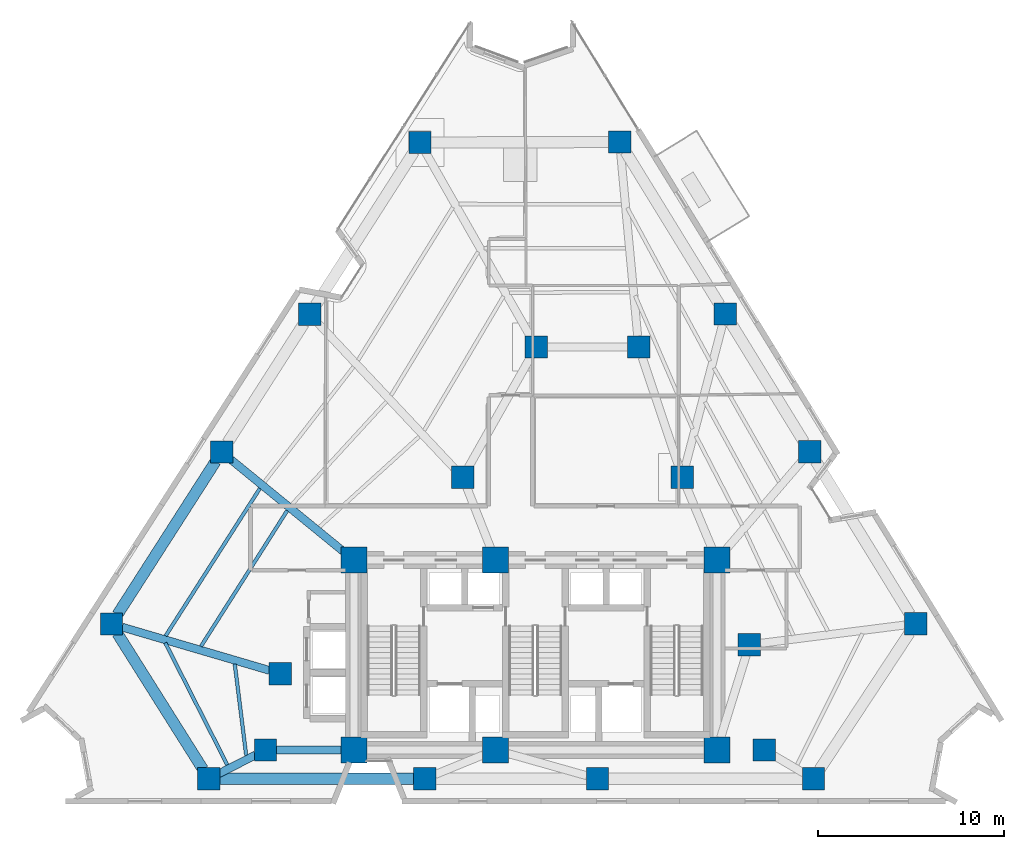
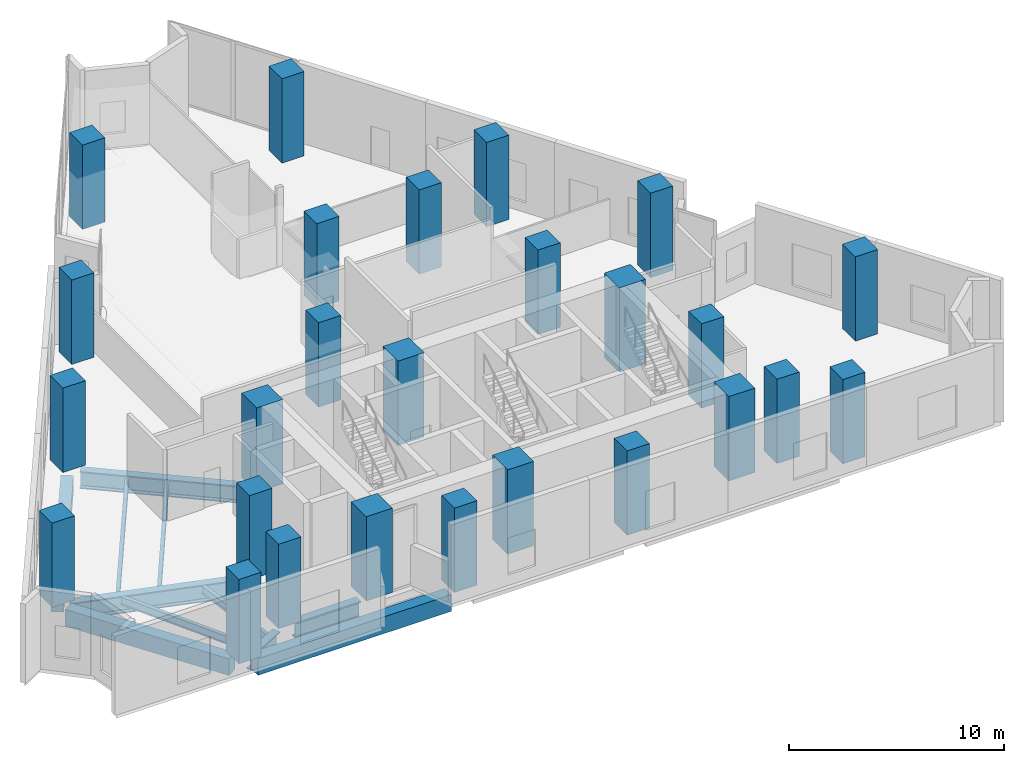
# One storey, part 1 of 13: 26 columns, 11 beams.
"""IFC4 building model written with IfcOpenShell, lengths in metres."""

import ifcopenshell
import ifcopenshell.guid

model = None  # the IFC model being written
_history = None  # IfcOwnerHistory: only IFC2X3 demands one
_inside = {}  # id of a spatial element -> (the spatial element, [elements in it])
_under = {}  # id of a project, library or spatial element -> (it, [spatial elements below it])
_declared = {}  # id of a project -> (the project, [libraries it declares])
_typed = {}  # id of a type object -> (the type object, [elements of that type])
_made_of = {}  # id of a material, layer set ... -> (it, [elements and type objects made of it])


def new_model(schema):
    """Start an empty IFC model of exactly this schema.

    Asked for "IFC4X3", IfcOpenShell would pick the latest addendum, in which some entities
    have other attributes; the version numbers below select the first issue.
    IFC2X3 requires an IfcOwnerHistory on every rooted entity: one is made here for all.
    """
    global model, _history
    if schema == "IFC4X3":
        model = ifcopenshell.file(schema_version=(4, 3, 0, 0))
    else:
        model = ifcopenshell.file(schema=schema)
    _inside.clear()
    _under.clear()
    _declared.clear()
    _typed.clear()
    _made_of.clear()
    _history = None
    if model.schema == "IFC2X3":
        org = make("IfcOrganization", Name="unknown")
        user = make(
            "IfcPersonAndOrganization",
            ThePerson=make("IfcPerson", FamilyName="unknown"),
            TheOrganization=org,
        )
        app = make(
            "IfcApplication",
            ApplicationDeveloper=org,
            Version="unknown",
            ApplicationFullName="unknown",
            ApplicationIdentifier="unknown",
        )
        _history = make(
            "IfcOwnerHistory",
            OwningUser=user,
            OwningApplication=app,
            ChangeAction="ADDED",
            CreationDate=0,
        )
    return model


def make(cls, **values):
    """One entity of the class cls with the attributes given. An attribute that is None is left unset."""
    return model.create_entity(
        cls, **{name: value for name, value in values.items() if value is not None}
    )


def rooted(cls, **values):
    """An entity with a GlobalId (a new one), such as an element, a storey or a relation."""
    return make(cls, GlobalId=ifcopenshell.guid.new(), OwnerHistory=_history, **values)


def si_unit(unit_type, name, prefix=None):
    """IfcSIUnit, for example si_unit("LENGTHUNIT", "METRE", prefix="MILLI")."""
    return make("IfcSIUnit", UnitType=unit_type, Prefix=prefix, Name=name)


def assignment(units):
    """IfcUnitAssignment: the units of a project."""
    return None if units is None else make("IfcUnitAssignment", Units=units)


def point(xyz):
    """IfcCartesianPoint."""
    return None if xyz is None else make("IfcCartesianPoint", Coordinates=xyz)


def direction(xyz):
    """IfcDirection."""
    return None if xyz is None else make("IfcDirection", DirectionRatios=xyz)


def frame(location, z_axis=None, x_axis=None):
    """IfcAxis2Placement3D, a coordinate frame: its origin and axes. An axis left out is left unset."""
    return make(
        "IfcAxis2Placement3D",
        Location=point(location),
        Axis=direction(z_axis),
        RefDirection=direction(x_axis),
    )


def frame_2d(location, x_axis=None):
    """IfcAxis2Placement2D, a coordinate frame in the plane: its origin and x axis."""
    return make(
        "IfcAxis2Placement2D", Location=point(location), RefDirection=direction(x_axis)
    )


def origin():
    """The frame at (0, 0, 0) with its axes left unset."""
    return frame((0.0, 0.0, 0.0))


def origin_2d():
    """The frame at (0, 0) in the plane with its x axis left unset."""
    return frame_2d((0.0, 0.0))


def place(relative_to, where):
    """IfcLocalPlacement: puts the frame where relative to a parent placement (None: the world)."""
    return make(
        "IfcLocalPlacement", PlacementRelTo=relative_to, RelativePlacement=where
    )


def context(
    kind, dimensions, precision=None, world=None, true_north=None, identifier=None
):
    """IfcGeometricRepresentationContext, for example the 3D "Model" context."""
    return make(
        "IfcGeometricRepresentationContext",
        ContextIdentifier=identifier,
        ContextType=kind,
        CoordinateSpaceDimension=dimensions,
        Precision=precision,
        WorldCoordinateSystem=world,
        TrueNorth=true_north,
    )


def subcontext(parent, identifier, kind, view, scale=None):
    """IfcGeometricRepresentationSubContext, for example "Body" below "Model"."""
    return make(
        "IfcGeometricRepresentationSubContext",
        ContextIdentifier=identifier,
        ContextType=kind,
        ParentContext=parent,
        TargetScale=scale,
        TargetView=view,
    )


def project(units=None, contexts=None):
    """IfcProject with its units and contexts."""
    return rooted(
        "IfcProject",
        Name="project",
        RepresentationContexts=contexts,
        UnitsInContext=assignment(units),
    )


def spatial(cls, under=None, at=None, **own):
    """A site, building, storey or space (cls), placed at a placement, below another one or the project."""
    s = rooted(cls, ObjectPlacement=at, **own)
    if under is not None:
        _under.setdefault(under.id(), (under, []))[1].append(s)
    return s


def profile(cls, at=None, kind="AREA", **sizes):
    """A parametric profile (cls). Its sizes go by their IFC names, for example OverallWidth=200.0."""
    return make(cls, ProfileType=kind, Position=at, **sizes)


def rectangle(**sizes):
    """IfcRectangleProfileDef."""
    return profile("IfcRectangleProfileDef", **sizes)


def i_section(**sizes):
    """IfcIShapeProfileDef."""
    return profile("IfcIShapeProfileDef", **sizes)


def extrude(swept, where, along, depth):
    """IfcExtrudedAreaSolid: the profile swept, set in the frame where, extruded along a direction by depth."""
    return make(
        "IfcExtrudedAreaSolid",
        SweptArea=swept,
        Position=where,
        ExtrudedDirection=direction(along),
        Depth=depth,
    )


def shape(context_of_items, identifier, shape_type, items):
    """IfcShapeRepresentation: the items that make up one representation, for example the "Body"."""
    return make(
        "IfcShapeRepresentation",
        ContextOfItems=context_of_items,
        RepresentationIdentifier=identifier,
        RepresentationType=shape_type,
        Items=items,
    )


def material(Name=None, Category=None):
    """IfcMaterial."""
    return make("IfcMaterial", Name=Name, Category=Category)


def material_profile(
    of_material, cross_section, Name=None, Category=None, Priority=None
):
    """IfcMaterialProfile: a cross section and its material."""
    return make(
        "IfcMaterialProfile",
        Name=Name,
        Material=of_material,
        Profile=cross_section,
        Priority=Priority,
        Category=Category,
    )


def profile_set(profiles, Name=None, composite=None):
    """IfcMaterialProfileSet."""
    return make(
        "IfcMaterialProfileSet",
        Name=Name,
        MaterialProfiles=profiles,
        CompositeProfile=composite,
    )


def made_of(thing, what):
    """Note that an element or type object is made of a material, layer set ...; save() writes the relation."""
    if what is not None:
        _made_of.setdefault(what.id(), (what, []))[1].append(thing)
    return thing


def type_object(cls, material=None, **own):
    """A type object (cls), such as IfcWallType, which elements share."""
    return made_of(rooted(cls, **own), material)


def element(
    cls,
    number,
    at=None,
    inside=None,
    cuts=None,
    type_object=None,
    material=None,
    context=None,
    identifier="Body",
    shape_type=None,
    held_by="IfcProductDefinitionShape",
    body=None,
    shapes=None,
    **own,
):
    """One element of the class cls, such as IfcWall. Its Tag is "e" and its number.

    at: its placement. inside: the storey or other place that contains it. cuts: it is an
    opening in that element (IfcRelVoidsElement). A single representation is given by context,
    identifier, shape_type and body (its items); several are given by shapes. held_by: the class
    of the entity that holds the representations. save() writes the other relations.
    """
    e = rooted(cls, Tag="e%d" % number, ObjectPlacement=at, **own)
    if body is not None:
        shapes = [shape(context, identifier, shape_type, body)]
    if shapes is not None:
        e.Representation = make(held_by, Representations=shapes)
    if inside is not None:
        _inside.setdefault(inside.id(), (inside, []))[1].append(e)
    if cuts is not None:
        rooted(
            "IfcRelVoidsElement", RelatingBuildingElement=cuts, RelatedOpeningElement=e
        )
    if type_object is not None:
        _typed.setdefault(type_object.id(), (type_object, []))[1].append(e)
    return made_of(e, material)


def aggregate(whole, parts):
    """IfcRelAggregates: a whole, such as a stair, and the parts it consists of."""
    return rooted("IfcRelAggregates", RelatingObject=whole, RelatedObjects=parts)


def save(model, path):
    """Write the relations noted so far, then the file.

    IfcRelAggregates (storeys below a building ...), IfcRelContainedInSpatialStructure (elements
    in a storey), IfcRelDefinesByType, IfcRelAssociatesMaterial and IfcRelDeclares: one each for
    every whole, place, type object, material and project.
    """
    for whole, parts in _under.values():
        aggregate(whole, parts)
    for where, things in _inside.values():
        rooted(
            "IfcRelContainedInSpatialStructure",
            RelatedElements=things,
            RelatingStructure=where,
        )
    for kind, things in _typed.values():
        rooted("IfcRelDefinesByType", RelatedObjects=things, RelatingType=kind)
    for what, things in _made_of.values():
        rooted("IfcRelAssociatesMaterial", RelatedObjects=things, RelatingMaterial=what)
    for by, libraries in _declared.values():
        rooted("IfcRelDeclares", RelatingContext=by, RelatedDefinitions=libraries)
    model.write(path)


model = new_model("IFC4")

# Units and contexts
model_context = context("Model", 3, precision=1e-05, world=origin(), true_north=direction((0.0, 1.0)))
body_context = subcontext(model_context, "Body", "Model", "MODEL_VIEW")
ifc_project = project(units=[si_unit("LENGTHUNIT", "METRE"), si_unit("AREAUNIT", "SQUARE_METRE"), si_unit("VOLUMEUNIT", "CUBIC_METRE"), si_unit("PLANEANGLEUNIT", "RADIAN"), si_unit("MASSUNIT", "GRAM", prefix="KILO")], contexts=[model_context])

# Site, building, storey
site_placement = place(None, origin())
site = spatial("IfcSite", under=ifc_project, at=site_placement, CompositionType="ELEMENT")
building_placement = place(site_placement, origin())
building = spatial("IfcBuilding", under=site, at=building_placement, Name="Almagre Mirador Tower", CompositionType="ELEMENT")
storey_placement = place(building_placement, frame((0.0, 0.0, 100.199951171875)))
storey = spatial("IfcBuildingStorey", under=building, at=storey_placement, Name="L25", CompositionType="ELEMENT", Elevation=100.199951171875)

# Columns
ifc_material_1 = material(Name="Concrete C60/75", Category="concrete")
ifc_material_profile_1 = material_profile(ifc_material_1, rectangle(XDim=1.199951171875, YDim=1.199951171875, at=origin_2d()), Name="RC1200X1200")
ifc_profile_set_1 = profile_set([ifc_material_profile_1], Name="Concrete C60/75")
column_type_1 = type_object("IfcColumnType", Name="COL-RC1200", PredefinedType="COLUMN", material=ifc_profile_set_1)
for number, where, z_axis, x_axis, name in (
    (1, (22.800048828125, 4.550048828125, 0.0), (0.0, 0.0, 1.0), (1.0, 0.0, 0.0), "L25 interior transfer column MC1"),
    (2, (49.60009765625, 4.550048828125, 0.0), (0.0, 0.0, 1.0), (1.0, 0.0, 0.0), "L25 interior transfer column MC2"),
    (3, (48.800048828125, 10.199951171875, 0.0), (0.0, 0.0, 1.0), (1.0, 0.0, 0.0), "L25 interior transfer column MC3"),
    (4, (45.199951171875, 19.199951171875, 0.0), (0.0, 0.0, 1.0), (1.0, 0.0, 0.0), "L25 interior transfer column MC5"),
    (5, (42.85009765625, 26.199951171875, 0.0), (0.0, 0.0, 1.0), (1.0, 0.0, 0.0), "L25 interior transfer column MC6"),
    (6, (37.35009765625, 26.199951171875, 0.0), (0.0, 0.0, 1.0), (1.0, 0.0, 0.0), "L25 interior transfer column MC7"),
    (7, (33.39990234375, 19.199951171875, 0.0), (0.0, 0.0, 1.0), (1.0, 0.0, 0.0), "L25 interior transfer column MC8"),
    (8, (23.60009765625, 8.64990234375, 0.0), (0.0, 0.0, 1.0), (1.0, 0.0, 0.0), "L25 interior transfer column MC10"),
    (9, (19.760009765625, 3.0, 0.0), (0.0, 0.0, 1.0), (1.0, 0.0, 0.0), "L25 perimeter column PC01"),
    (10, (31.360107421875, 3.0, 0.0), (0.0, 0.0, 1.0), (1.0, 0.0, 0.0), "L25 perimeter column PC02"),
    (11, (40.639892578125, 3.0, 0.0), (0.0, 0.0, 1.0), (1.0, 0.0, 0.0), "L25 perimeter column PC03"),
    (12, (52.239990234375, 3.0, 0.0), (0.0, 0.0, 1.0), (1.0, 0.0, 0.0), "L25 perimeter column PC04"),
    (13, (57.72998046875, 11.3359375, 0.0), (0.0, 0.0, 1.0), (1.0, 0.0, 0.0), "L25 perimeter column PC05"),
    (14, (52.050048828125, 20.575927734375, 0.0), (0.0, 0.0, 1.0), (1.0, 0.0, 0.0), "L25 perimeter column PC06"),
    (15, (47.506103515625, 27.968017578125, 0.0), (0.0, 0.0, 1.0), (1.0, 0.0, 0.0), "L25 perimeter column PC07"),
    (16, (41.825927734375, 37.2080078125, 0.0), (0.0, 0.0, 1.0), (1.0, 0.0, 0.0), "L25 perimeter column PC08"),
    (17, (31.097900390625, 37.18896484375, 0.0), (0.0, 0.0, 1.0), (1.0, 0.0, 0.0), "L25 perimeter column PC09"),
    (18, (25.177978515625, 27.948974609375, 0.0), (0.0, 0.0, 1.0), (1.0, 0.0, 0.0), "L25 perimeter column PC10"),
    (19, (20.44189453125, 20.556884765625, 0.0), (0.0, 0.0, 1.0), (1.0, 0.0, 0.0), "L25 perimeter column PC11"),
    (20, (14.52197265625, 11.31689453125, 0.0), (0.0, 0.0, 1.0), (1.0, 0.0, 0.0), "L25 perimeter column PC12"),
):
    element("IfcColumn", number, at=place(storey_placement, frame(where, z_axis=z_axis, x_axis=x_axis)), inside=storey, type_object=column_type_1, Name=name, PredefinedType="COLUMN", context=body_context, shape_type="SweptSolid", body=[
        extrude(rectangle(XDim=1.199951171875, YDim=1.199951171875, at=origin_2d()), origin(), (0.0, 0.0, 1.0), 4.800048828125),
    ])
ifc_material_2 = material(Name="Concrete C60/75", Category="concrete")
ifc_material_profile_2 = material_profile(ifc_material_2, rectangle(XDim=1.39990234375, YDim=1.39990234375, at=origin_2d()), Name="RC1400X1400")
ifc_profile_set_2 = profile_set([ifc_material_profile_2], Name="Concrete C60/75")
column_type_2 = type_object("IfcColumnType", Name="COL-RC1400", PredefinedType="COLUMN", material=ifc_profile_set_2)
for number, where, z_axis, x_axis, name in (
    (21, (27.550048828125, 4.550048828125, 0.0), (0.0, 0.0, 1.0), (1.0, 0.0, 0.0), "L25 core spine column CC1"),
    (22, (35.14990234375, 4.550048828125, 0.0), (0.0, 0.0, 1.0), (1.0, 0.0, 0.0), "L25 core spine column CC2"),
    (23, (47.050048828125, 4.550048828125, 0.0), (0.0, 0.0, 1.0), (1.0, 0.0, 0.0), "L25 core spine column CC3"),
    (24, (27.550048828125, 14.75, 0.0), (0.0, 0.0, 1.0), (1.0, 0.0, 0.0), "L25 core spine column CC4"),
    (25, (35.14990234375, 14.75, 0.0), (0.0, 0.0, 1.0), (1.0, 0.0, 0.0), "L25 core spine column CC5"),
    (26, (47.050048828125, 14.75, 0.0), (0.0, 0.0, 1.0), (1.0, 0.0, 0.0), "L25 core spine column CC6"),
):
    element("IfcColumn", number, at=place(storey_placement, frame(where, z_axis=z_axis, x_axis=x_axis)), inside=storey, type_object=column_type_2, Name=name, PredefinedType="COLUMN", context=body_context, shape_type="SweptSolid", body=[
        extrude(rectangle(XDim=1.39990234375, YDim=1.39990234375, at=origin_2d()), origin(), (0.0, 0.0, 1.0), 4.800048828125),
    ])

# Beams
ifc_material_3 = material(Name="Steel ASTM A992 Grade 50", Category="steel")
ifc_material_profile_3 = material_profile(ifc_material_3, i_section(OverallWidth=0.19091796875, OverallDepth=0.4599609375, WebThickness=0.010009765625, FlangeThickness=0.01611328125, FilletRadius=0.01611328125, at=origin_2d()), Name="W18X55")
ifc_profile_set_3 = profile_set([ifc_material_profile_3], Name="Steel ASTM A992 Grade 50")
beam_type_1 = type_object("IfcBeamType", Name="BM-JST-W18X55", PredefinedType="JOIST", material=ifc_profile_set_3)
beam_1_placement = place(storey_placement, frame((22.499755859375, 18.601318359375, -0.530029296875), z_axis=(-0.538691298847, -0.842503225244, 0.0), x_axis=(0.842503225244, -0.538691298847, 0.0)))
element("IfcBeam", 27, at=beam_1_placement, inside=storey, type_object=beam_type_1, Name="L25 secondary floor joist PC11-PC12.1", PredefinedType="JOIST", context=body_context, shape_type="SweptSolid", body=[
    extrude(i_section(OverallWidth=0.19091796875, OverallDepth=0.4599609375, WebThickness=0.010009765625, FlangeThickness=0.01611328125, FilletRadius=0.01611328125, at=origin_2d()), origin(), (0.0, 0.0, 1.0), 9.40673828125),
])
beam_2_placement = place(storey_placement, frame((23.964599609375, 17.40478515625, -0.530029296875), z_axis=(-0.536295360878, -0.844030382096, 0.0), x_axis=(0.844030382096, -0.536295360878, 0.0)))
element("IfcBeam", 28, at=beam_2_placement, inside=storey, type_object=beam_type_1, Name="L25 secondary floor joist PC11-PC12.2", PredefinedType="JOIST", context=body_context, shape_type="SweptSolid", body=[
    extrude(i_section(OverallWidth=0.19091796875, OverallDepth=0.4599609375, WebThickness=0.010009765625, FlangeThickness=0.01611328125, FilletRadius=0.01611328125, at=origin_2d()), origin(), (0.0, 0.0, 1.0), 8.634033203125),
])
beam_3_placement = place(storey_placement, frame((17.4140625, 10.30517578125, -0.530029296875), z_axis=(0.453201108241, -0.891408298979, 0.0), x_axis=(0.891408298979, 0.453201108241, 0.0)))
element("IfcBeam", 29, at=beam_3_placement, inside=storey, type_object=beam_type_1, Name="L25 secondary floor joist PC12-PC01.1", PredefinedType="JOIST", context=body_context, shape_type="SweptSolid", body=[
    extrude(i_section(OverallWidth=0.19091796875, OverallDepth=0.4599609375, WebThickness=0.010009765625, FlangeThickness=0.01611328125, FilletRadius=0.01611328125, at=origin_2d()), origin(), (0.0, 0.0, 1.0), 7.35986328125),
])
beam_4_placement = place(storey_placement, frame((21.148681640625, 9.165771484375, -0.530029296875), z_axis=(0.124537963573, -0.992214843484, 0.0), x_axis=(0.992214843484, 0.124537963573, 0.0)))
element("IfcBeam", 30, at=beam_4_placement, inside=storey, type_object=beam_type_1, Name="L25 secondary floor joist PC12-PC01.3", PredefinedType="JOIST", context=body_context, shape_type="SweptSolid", body=[
    extrude(i_section(OverallWidth=0.19091796875, OverallDepth=0.4599609375, WebThickness=0.010009765625, FlangeThickness=0.01611328125, FilletRadius=0.01611328125, at=origin_2d()), origin(), (0.0, 0.0, 1.0), 4.955810546875),
])
ifc_material_4 = material(Name="Precast concrete C50/60", Category="concrete")
ifc_material_profile_4 = material_profile(ifc_material_4, rectangle(XDim=0.60009765625, YDim=0.949951171875, at=origin_2d()), Name="RC600X950")
ifc_profile_set_4 = profile_set([ifc_material_profile_4], Name="Precast concrete C50/60")
beam_type_2 = type_object("IfcBeamType", Name="BM-SPN-RC600X950", PredefinedType="SPANDREL", material=ifc_profile_set_4)
beam_5_placement = place(storey_placement, frame((20.360107421875, 3.0, -0.77490234375), z_axis=(1.0, 0.0, 0.0), x_axis=(0.0, 1.0, 0.0)))
element("IfcBeam", 31, at=beam_5_placement, inside=storey, type_object=beam_type_2, Name="L25 perimeter spandrel beam PC01-PC02", PredefinedType="SPANDREL", context=body_context, shape_type="SweptSolid", body=[
    extrude(rectangle(XDim=0.60009765625, YDim=0.949951171875, at=origin_2d()), origin(), (0.0, 0.0, 1.0), 10.39990234375),
])
beam_6_placement = place(storey_placement, frame((20.118408203125, 20.0517578125, -0.77490234375), z_axis=(-0.539476801219, -0.842000463745, 0.0), x_axis=(0.842000463745, -0.539476801219, 0.0)))
element("IfcBeam", 32, at=beam_6_placement, inside=storey, type_object=beam_type_2, Name="L25 perimeter spandrel beam PC11-PC12", PredefinedType="SPANDREL", context=body_context, shape_type="SweptSolid", body=[
    extrude(rectangle(XDim=0.60009765625, YDim=0.949951171875, at=origin_2d()), origin(), (0.0, 0.0, 1.0), 9.773681640625),
])
beam_7_placement = place(storey_placement, frame((14.841796875, 10.809326171875, -0.77490234375), z_axis=(0.532907818856, -0.846173301754, 0.0), x_axis=(0.846173301754, 0.532907818856, 0.0)))
element("IfcBeam", 33, at=beam_7_placement, inside=storey, type_object=beam_type_2, Name="L25 perimeter spandrel beam PC12-PC01", PredefinedType="SPANDREL", context=body_context, shape_type="SweptSolid", body=[
    extrude(rectangle(XDim=0.60009765625, YDim=0.949951171875, at=origin_2d()), origin(), (0.0, 0.0, 1.0), 8.62890625),
])
ifc_material_5 = material(Name="Steel ASTM A992 Grade 50", Category="steel")
ifc_material_profile_5 = material_profile(ifc_material_5, i_section(OverallWidth=0.427978515625, OverallDepth=0.97509765625, WebThickness=0.031005859375, FlangeThickness=0.055908203125, FilletRadius=0.028076171875, at=origin_2d()), Name="W36X395")
ifc_profile_set_5 = profile_set([ifc_material_profile_5], Name="Steel ASTM A992 Grade 50")
beam_type_3 = type_object("IfcBeamType", Name="BM-STL-W36X395", PredefinedType="BEAM", material=ifc_profile_set_5)
beam_8_placement = place(storey_placement, frame((20.29443359375, 3.2724609375, -0.787353515625), z_axis=(0.890845728366, 0.454305941247, 0.0), x_axis=(-0.454305941247, 0.890845728366, 0.0)))
element("IfcBeam", 34, at=beam_8_placement, inside=storey, type_object=beam_type_3, Name="L25 radial floor girder PC01-MC1", PredefinedType="BEAM", context=body_context, shape_type="SweptSolid", body=[
    extrude(i_section(OverallWidth=0.427978515625, OverallDepth=0.97509765625, WebThickness=0.031005859375, FlangeThickness=0.055908203125, FilletRadius=0.028076171875, at=origin_2d()), origin(), (0.0, 0.0, 1.0), 2.21240234375),
])
beam_9_placement = place(storey_placement, frame((20.90673828125, 20.177490234375, -0.787353515625), z_axis=(0.774403065798, -0.632692572805, 0.0), x_axis=(0.632692572805, 0.774403065798, 0.0)))
element("IfcBeam", 35, at=beam_9_placement, inside=storey, type_object=beam_type_3, Name="L25 radial floor girder PC11-CC4", PredefinedType="BEAM", context=body_context, shape_type="SweptSolid", body=[
    extrude(i_section(OverallWidth=0.427978515625, OverallDepth=0.97509765625, WebThickness=0.031005859375, FlangeThickness=0.055908203125, FilletRadius=0.028076171875, at=origin_2d()), origin(), (0.0, 0.0, 1.0), 7.87841796875),
])
beam_10_placement = place(storey_placement, frame((15.09765625, 11.14794921875, -0.787353515625), z_axis=(0.959448747286, -0.281883134174, 0.0), x_axis=(0.281883134174, 0.959448747286, 0.0)))
element("IfcBeam", 36, at=beam_10_placement, inside=storey, type_object=beam_type_3, Name="L25 radial floor girder PC12-MC10", PredefinedType="BEAM", context=body_context, shape_type="SweptSolid", body=[
    extrude(i_section(OverallWidth=0.427978515625, OverallDepth=0.97509765625, WebThickness=0.031005859375, FlangeThickness=0.055908203125, FilletRadius=0.028076171875, at=origin_2d()), origin(), (0.0, 0.0, 1.0), 8.26171875),
])
ifc_material_6 = material(Name="Steel ASTM A992 Grade 50", Category="steel")
ifc_material_profile_6 = material_profile(ifc_material_6, i_section(OverallWidth=0.43701171875, OverallDepth=1.010986328125, WebThickness=0.041015625, FlangeThickness=0.073974609375, FilletRadius=0.028076171875, at=origin_2d()), Name="W36X529")
ifc_profile_set_6 = profile_set([ifc_material_profile_6], Name="Steel ASTM A992 Grade 50")
beam_type_4 = type_object("IfcBeamType", Name="BM-STL-W36X529", PredefinedType="BEAM", material=ifc_profile_set_6)
beam_11_placement = place(storey_placement, frame((23.39990234375, 4.550048828125, -0.805419921875), z_axis=(1.0, 0.0, 0.0), x_axis=(0.0, 1.0, 0.0)))
element("IfcBeam", 37, at=beam_11_placement, inside=storey, type_object=beam_type_4, Name="L25 core tie girder MC1-CC1", PredefinedType="BEAM", context=body_context, shape_type="SweptSolid", body=[
    extrude(i_section(OverallWidth=0.43701171875, OverallDepth=1.010986328125, WebThickness=0.041015625, FlangeThickness=0.073974609375, FilletRadius=0.028076171875, at=origin_2d()), origin(), (0.0, 0.0, 1.0), 3.4501953125),
])

save(model, "model.ifc")
